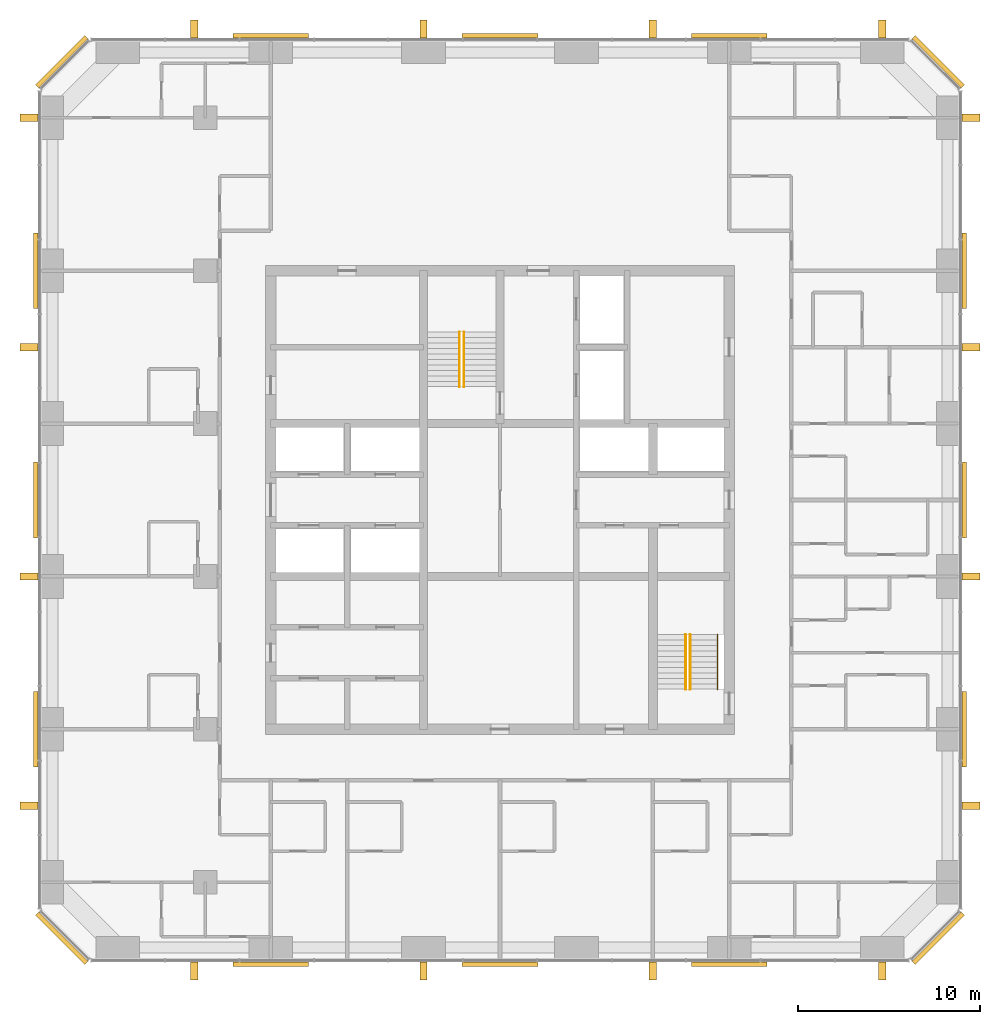
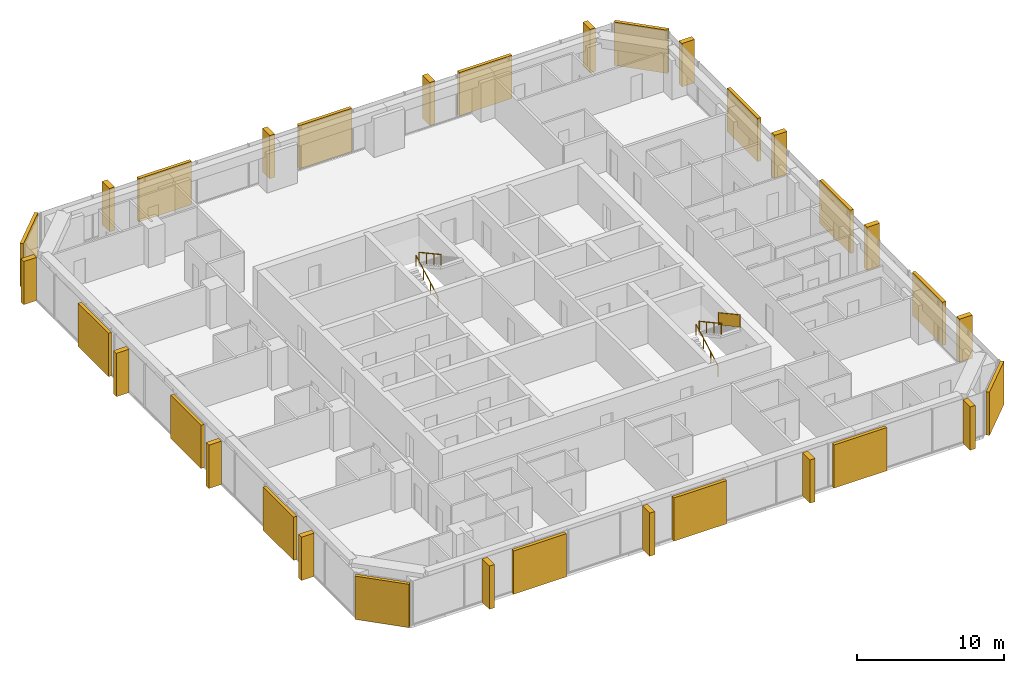
# One storey, part 13 of 13: 16 coverings, 16 shading devices, 5 railings.
"""IFC4 building model written with IfcOpenShell, lengths in metres."""

from ifc_helpers import new_model, si_unit, direction, frame, origin, origin_2d, place, context, subcontext, project, spatial, polyline, rectangle, circle, outline, extrude, material, layer, layer_set, type_object, element, save


model = new_model("IFC4")

# Units and contexts
model_context = context("Model", 3, precision=1e-05, world=origin(), true_north=direction((0.0, 1.0)))
body_context = subcontext(model_context, "Body", "Model", "MODEL_VIEW")
ifc_project = project(units=[si_unit("LENGTHUNIT", "METRE"), si_unit("AREAUNIT", "SQUARE_METRE"), si_unit("VOLUMEUNIT", "CUBIC_METRE"), si_unit("PLANEANGLEUNIT", "RADIAN"), si_unit("MASSUNIT", "GRAM", prefix="KILO")], contexts=[model_context])

# Site, building, storey
site_placement = place(None, origin())
site = spatial("IfcSite", under=ifc_project, at=site_placement, CompositionType="ELEMENT")
building_placement = place(site_placement, origin())
building = spatial("IfcBuilding", under=site, at=building_placement, Name="Dunama Terrace Hotel", CompositionType="ELEMENT")
storey_placement = place(building_placement, frame((0.0, 0.0, 191.39990234375)))
storey = spatial("IfcBuildingStorey", under=building, at=storey_placement, Name="L49", CompositionType="ELEMENT", Elevation=191.39990234375)

# Railings
ifc_material_1 = material(Name="Stainless steel and laminated glass guard", Category="steel")
railing_type_1 = type_object("IfcRailingType", Name="Guard 1100", PredefinedType="GUARDRAIL", material=ifc_material_1)
railing_1_placement = place(storey_placement, frame((41.35009765625, 22.0, 1.963623046875)))
element("IfcRailing", 1, at=railing_1_placement, inside=storey, type_object=railing_type_1, Name="Stair guard ST2 L49", PredefinedType="GUARDRAIL", context=body_context, shape_type="SweptSolid", body=[
    extrude(circle(Radius=0.02392578125, at=origin_2d()), frame((0.0, 0.0, 1.076171875), z_axis=(0.0, -0.877881921179, 0.478877158013), x_axis=(1.0, 0.0, 0.0)), (0.0, 0.0, 1.0), 3.417236328125),
    extrude(circle(Radius=0.02099609375, at=origin_2d()), origin(), (0.0, 0.0, 1.0), 1.052001953125),
    extrude(circle(Radius=0.02099609375, at=origin_2d()), frame((0.0, -1.0, 0.54541015625)), (0.0, 0.0, 1.0), 1.052001953125),
    extrude(circle(Radius=0.02099609375, at=origin_2d()), frame((0.0, -2.0, 1.091064453125)), (0.0, 0.0, 1.0), 1.052001953125),
    extrude(circle(Radius=0.02099609375, at=origin_2d()), frame((0.0, -3.0, 1.636474609375)), (0.0, 0.0, 1.0), 1.052001953125),
    extrude(outline(polyline([(0.0048828125, 0.052734375), (0.9951171875, 0.5927734375), (0.9951171875, 1.618896484375), (0.0048828125, 1.07861328125), (0.0048828125, 0.052734375)])), frame((0.0087890625, 0.0, 0.0), z_axis=(-1.0, 0.0, 0.0), x_axis=(0.0, -1.0, 0.0)), (0.0, 0.0, 1.0), 0.017578125),
    extrude(outline(polyline([(0.0048828125, 0.052734375), (0.9951171875, 0.5927734375), (0.9951171875, 1.618896484375), (0.0048828125, 1.07861328125), (0.0048828125, 0.052734375)])), frame((0.0087890625, -1.0, 0.54541015625), z_axis=(-1.0, 0.0, 0.0), x_axis=(0.0, -1.0, 0.0)), (0.0, 0.0, 1.0), 0.017578125),
    extrude(outline(polyline([(0.0048828125, 0.052734375), (0.9951171875, 0.5927734375), (0.9951171875, 1.618896484375), (0.0048828125, 1.07861328125), (0.0048828125, 0.052734375)])), frame((0.0087890625, -2.0, 1.091064453125), z_axis=(-1.0, 0.0, 0.0), x_axis=(0.0, -1.0, 0.0)), (0.0, 0.0, 1.0), 0.017578125),
])
ifc_material_2 = material(Name="Stainless steel handrail", Category="steel")
railing_type_2 = type_object("IfcRailingType", Name="Stair handrail 900", PredefinedType="HANDRAIL", material=ifc_material_2)
railing_2_placement = place(storey_placement, frame((27.175048828125, 35.625, 0.163818359375)))
element("IfcRailing", 2, at=railing_2_placement, inside=storey, type_object=railing_type_2, Name="Handrail ST1 L49", PredefinedType="HANDRAIL", context=body_context, shape_type="SweptSolid", body=[
    extrude(circle(Radius=0.02392578125, at=origin_2d()), frame((0.0, 0.0, 0.8759765625), z_axis=(0.0, 0.877911954615, 0.47882209634), x_axis=(-1.0, 0.0, 0.0)), (0.0, 0.0, 1.0), 3.417236328125),
    extrude(circle(Radius=0.02099609375, at=origin_2d()), origin(), (0.0, 0.0, 1.0), 0.851806640625),
    extrude(circle(Radius=0.02099609375, at=origin_2d()), frame((0.0, 1.0, 0.54541015625)), (0.0, 0.0, 1.0), 0.851806640625),
    extrude(circle(Radius=0.02099609375, at=origin_2d()), frame((0.0, 2.0, 1.0908203125)), (0.0, 0.0, 1.0), 0.851806640625),
    extrude(circle(Radius=0.02099609375, at=origin_2d()), frame((0.0, 3.0, 1.63623046875)), (0.0, 0.0, 1.0), 0.851806640625),
])
railing_3_placement = place(storey_placement, frame((27.425048828125, 38.625, 1.963623046875)))
element("IfcRailing", 3, at=railing_3_placement, inside=storey, type_object=railing_type_2, Name="Handrail ST1 L49", PredefinedType="HANDRAIL", context=body_context, shape_type="SweptSolid", body=[
    extrude(circle(Radius=0.02392578125, at=origin_2d()), frame((0.0, 0.0, 0.8759765625), z_axis=(0.0, -0.877881921179, 0.478877158013), x_axis=(1.0, 0.0, 0.0)), (0.0, 0.0, 1.0), 3.417236328125),
    extrude(circle(Radius=0.02099609375, at=origin_2d()), origin(), (0.0, 0.0, 1.0), 0.851806640625),
    extrude(circle(Radius=0.02099609375, at=origin_2d()), frame((0.0, -1.0, 0.54541015625)), (0.0, 0.0, 1.0), 0.851806640625),
    extrude(circle(Radius=0.02099609375, at=origin_2d()), frame((0.0, -2.0, 1.091064453125)), (0.0, 0.0, 1.0), 0.851806640625),
    extrude(circle(Radius=0.02099609375, at=origin_2d()), frame((0.0, -3.0, 1.636474609375)), (0.0, 0.0, 1.0), 0.851806640625),
])
railing_4_placement = place(storey_placement, frame((39.60009765625, 19.0, 0.163818359375)))
element("IfcRailing", 4, at=railing_4_placement, inside=storey, type_object=railing_type_2, Name="Handrail ST2 L49", PredefinedType="HANDRAIL", context=body_context, shape_type="SweptSolid", body=[
    extrude(circle(Radius=0.02392578125, at=origin_2d()), frame((0.0, 0.0, 0.8759765625), z_axis=(0.0, 0.877911954615, 0.47882209634), x_axis=(-1.0, 0.0, 0.0)), (0.0, 0.0, 1.0), 3.417236328125),
    extrude(circle(Radius=0.02099609375, at=origin_2d()), origin(), (0.0, 0.0, 1.0), 0.851806640625),
    extrude(circle(Radius=0.02099609375, at=origin_2d()), frame((0.0, 1.0, 0.54541015625)), (0.0, 0.0, 1.0), 0.851806640625),
    extrude(circle(Radius=0.02099609375, at=origin_2d()), frame((0.0, 2.0, 1.0908203125)), (0.0, 0.0, 1.0), 0.851806640625),
    extrude(circle(Radius=0.02099609375, at=origin_2d()), frame((0.0, 3.0, 1.63623046875)), (0.0, 0.0, 1.0), 0.851806640625),
])
railing_5_placement = place(storey_placement, frame((39.85009765625, 22.0, 1.963623046875)))
element("IfcRailing", 5, at=railing_5_placement, inside=storey, type_object=railing_type_2, Name="Handrail ST2 L49", PredefinedType="HANDRAIL", context=body_context, shape_type="SweptSolid", body=[
    extrude(circle(Radius=0.02392578125, at=origin_2d()), frame((0.0, 0.0, 0.8759765625), z_axis=(0.0, -0.877881921179, 0.478877158013), x_axis=(1.0, 0.0, 0.0)), (0.0, 0.0, 1.0), 3.417236328125),
    extrude(circle(Radius=0.02099609375, at=origin_2d()), origin(), (0.0, 0.0, 1.0), 0.851806640625),
    extrude(circle(Radius=0.02099609375, at=origin_2d()), frame((0.0, -1.0, 0.54541015625)), (0.0, 0.0, 1.0), 0.851806640625),
    extrude(circle(Radius=0.02099609375, at=origin_2d()), frame((0.0, -2.0, 1.091064453125)), (0.0, 0.0, 1.0), 0.851806640625),
    extrude(circle(Radius=0.02099609375, at=origin_2d()), frame((0.0, -3.0, 1.636474609375)), (0.0, 0.0, 1.0), 0.851806640625),
])

# Coverings
ifc_material_3 = material(Name="Warm reconstituted stone panel", Category="masonry")
ifc_layer_1 = layer(ifc_material_3, 0.25)
ifc_layer_set_1 = layer_set([ifc_layer_1], Name="Stone diagonal panel")
covering_type = type_object("IfcCoveringType", Name="Stone diagonal panel", PredefinedType="CLADDING", material=ifc_layer_set_1)
for number, where, z_axis, x_axis, name in (
    (6, (16.800048828125, 3.876953125, 0.001953125), (0.0, 0.0, 1.0), (1.0, 0.0, 0.0), "Stone diagonal panel L49"),
    (7, (29.39990234375, 3.876953125, 0.001953125), (0.0, 0.0, 1.0), (1.0, 0.0, 0.0), "Stone diagonal panel L49"),
    (8, (42.0, 3.876953125, 0.001953125), (0.0, 0.0, 1.0), (1.0, 0.0, 0.0), "Stone diagonal panel L49"),
):
    element("IfcCovering", number, at=place(storey_placement, frame(where, z_axis=z_axis, x_axis=x_axis)), inside=storey, type_object=covering_type, Name=name, PredefinedType="CLADDING", context=body_context, shape_type="SweptSolid", body=[
        extrude(rectangle(XDim=4.14990234375, YDim=0.25, at=origin_2d()), origin(), (0.0, 0.0, 1.0), 3.595947265625),
    ])
covering_1_placement = place(storey_placement, frame((53.47900390625, 5.321044921875, 0.001953125), z_axis=(0.0, 0.0, 1.0), x_axis=(0.707106781187, 0.707106781187, 0.0)))
element("IfcCovering", 9, at=covering_1_placement, inside=storey, type_object=covering_type, Name="Stone diagonal panel L49", PredefinedType="CLADDING", context=body_context, shape_type="SweptSolid", body=[
    extrude(rectangle(XDim=3.808349609375, YDim=0.25, at=origin_2d()), origin(), (0.0, 0.0, 1.0), 3.595947265625),
])
for number, where, z_axis, x_axis, name in (
    (10, (54.923095703125, 16.800048828125, 0.001953125), (0.0, 0.0, 1.0), (0.0, 1.0, 0.0), "Stone diagonal panel L49"),
    (11, (54.923095703125, 29.39990234375, 0.001953125), (0.0, 0.0, 1.0), (0.0, 1.0, 0.0), "Stone diagonal panel L49"),
    (12, (54.923095703125, 42.0, 0.001953125), (0.0, 0.0, 1.0), (0.0, 1.0, 0.0), "Stone diagonal panel L49"),
):
    element("IfcCovering", number, at=place(storey_placement, frame(where, z_axis=z_axis, x_axis=x_axis)), inside=storey, type_object=covering_type, Name=name, PredefinedType="CLADDING", context=body_context, shape_type="SweptSolid", body=[
        extrude(rectangle(XDim=4.14990234375, YDim=0.25, at=origin_2d()), origin(), (0.0, 0.0, 1.0), 3.595947265625),
    ])
covering_2_placement = place(storey_placement, frame((53.47900390625, 53.47900390625, 0.001953125), z_axis=(0.0, 0.0, 1.0), x_axis=(-0.707106781187, 0.707106781187, 0.0)))
element("IfcCovering", 13, at=covering_2_placement, inside=storey, type_object=covering_type, Name="Stone diagonal panel L49", PredefinedType="CLADDING", context=body_context, shape_type="SweptSolid", body=[
    extrude(rectangle(XDim=3.808349609375, YDim=0.25, at=origin_2d()), origin(), (0.0, 0.0, 1.0), 3.595947265625),
])
for number, where, z_axis, x_axis, name in (
    (14, (42.0, 54.923095703125, 0.001953125), (0.0, 0.0, 1.0), (-1.0, 0.0, 0.0), "Stone diagonal panel L49"),
    (15, (29.39990234375, 54.923095703125, 0.001953125), (0.0, 0.0, 1.0), (-1.0, 0.0, 0.0), "Stone diagonal panel L49"),
    (16, (16.800048828125, 54.923095703125, 0.001953125), (0.0, 0.0, 1.0), (-1.0, 0.0, 0.0), "Stone diagonal panel L49"),
):
    element("IfcCovering", number, at=place(storey_placement, frame(where, z_axis=z_axis, x_axis=x_axis)), inside=storey, type_object=covering_type, Name=name, PredefinedType="CLADDING", context=body_context, shape_type="SweptSolid", body=[
        extrude(rectangle(XDim=4.14990234375, YDim=0.25, at=origin_2d()), origin(), (0.0, 0.0, 1.0), 3.595947265625),
    ])
covering_3_placement = place(storey_placement, frame((5.321044921875, 53.47900390625, 0.001953125), z_axis=(0.0, 0.0, 1.0), x_axis=(-0.707106781187, -0.707106781187, 0.0)))
element("IfcCovering", 17, at=covering_3_placement, inside=storey, type_object=covering_type, Name="Stone diagonal panel L49", PredefinedType="CLADDING", context=body_context, shape_type="SweptSolid", body=[
    extrude(rectangle(XDim=3.808349609375, YDim=0.25, at=origin_2d()), origin(), (0.0, 0.0, 1.0), 3.595947265625),
])
for number, where, z_axis, x_axis, name in (
    (18, (3.876953125, 42.0, 0.001953125), (0.0, 0.0, 1.0), (0.0, -1.0, 0.0), "Stone diagonal panel L49"),
    (19, (3.876953125, 29.39990234375, 0.001953125), (0.0, 0.0, 1.0), (0.0, -1.0, 0.0), "Stone diagonal panel L49"),
    (20, (3.876953125, 16.800048828125, 0.001953125), (0.0, 0.0, 1.0), (0.0, -1.0, 0.0), "Stone diagonal panel L49"),
):
    element("IfcCovering", number, at=place(storey_placement, frame(where, z_axis=z_axis, x_axis=x_axis)), inside=storey, type_object=covering_type, Name=name, PredefinedType="CLADDING", context=body_context, shape_type="SweptSolid", body=[
        extrude(rectangle(XDim=4.14990234375, YDim=0.25, at=origin_2d()), origin(), (0.0, 0.0, 1.0), 3.595947265625),
    ])
covering_4_placement = place(storey_placement, frame((5.321044921875, 5.321044921875, 0.001953125), z_axis=(0.0, 0.0, 1.0), x_axis=(0.707106781187, -0.707106781187, 0.0)))
element("IfcCovering", 21, at=covering_4_placement, inside=storey, type_object=covering_type, Name="Stone diagonal panel L49", PredefinedType="CLADDING", context=body_context, shape_type="SweptSolid", body=[
    extrude(rectangle(XDim=3.808349609375, YDim=0.25, at=origin_2d()), origin(), (0.0, 0.0, 1.0), 3.595947265625),
])

# Shading devices
ifc_material_4 = material(Name="Warm reconstituted stone fin", Category="masonry")
ifc_layer_2 = layer(ifc_material_4, 0.39990234375)
ifc_layer_set_2 = layer_set([ifc_layer_2], Name="Warm stone fin 400x1000")
shading_device_type = type_object("IfcShadingDeviceType", Name="Warm stone fin 400x1000", PredefinedType="USERDEFINED", material=ifc_layer_set_2)
for number, where, z_axis, x_axis, name in (
    (22, (12.60009765625, 3.52197265625, 0.0), (0.0, 0.0, 1.0), (1.0, 0.0, 0.0), "Stone fin"),
    (23, (25.199951171875, 3.52197265625, 0.0), (0.0, 0.0, 1.0), (1.0, 0.0, 0.0), "Stone fin"),
    (24, (37.800048828125, 3.52197265625, 0.0), (0.0, 0.0, 1.0), (1.0, 0.0, 0.0), "Stone fin"),
    (25, (50.39990234375, 3.52197265625, 0.0), (0.0, 0.0, 1.0), (1.0, 0.0, 0.0), "Stone fin"),
    (26, (55.278076171875, 12.60009765625, 0.0), (0.0, 0.0, 1.0), (0.0, 1.0, 0.0), "Stone fin"),
    (27, (55.278076171875, 25.199951171875, 0.0), (0.0, 0.0, 1.0), (0.0, 1.0, 0.0), "Stone fin"),
    (28, (55.278076171875, 37.800048828125, 0.0), (0.0, 0.0, 1.0), (0.0, 1.0, 0.0), "Stone fin"),
    (29, (55.278076171875, 50.39990234375, 0.0), (0.0, 0.0, 1.0), (0.0, 1.0, 0.0), "Stone fin"),
    (30, (50.39990234375, 55.278076171875, 0.0), (0.0, 0.0, 1.0), (-1.0, 0.0, 0.0), "Stone fin"),
    (31, (37.800048828125, 55.278076171875, 0.0), (0.0, 0.0, 1.0), (-1.0, 0.0, 0.0), "Stone fin"),
    (32, (25.199951171875, 55.278076171875, 0.0), (0.0, 0.0, 1.0), (-1.0, 0.0, 0.0), "Stone fin"),
    (33, (12.60009765625, 55.278076171875, 0.0), (0.0, 0.0, 1.0), (-1.0, 0.0, 0.0), "Stone fin"),
    (34, (3.52197265625, 50.39990234375, 0.0), (0.0, 0.0, 1.0), (0.0, -1.0, 0.0), "Stone fin"),
    (35, (3.52197265625, 37.800048828125, 0.0), (0.0, 0.0, 1.0), (0.0, -1.0, 0.0), "Stone fin"),
    (36, (3.52197265625, 25.199951171875, 0.0), (0.0, 0.0, 1.0), (0.0, -1.0, 0.0), "Stone fin"),
    (37, (3.52197265625, 12.60009765625, 0.0), (0.0, 0.0, 1.0), (0.0, -1.0, 0.0), "Stone fin"),
):
    element("IfcShadingDevice", number, at=place(storey_placement, frame(where, z_axis=z_axis, x_axis=x_axis)), inside=storey, type_object=shading_device_type, Name=name, ObjectType="FIN", PredefinedType="USERDEFINED", context=body_context, shape_type="SweptSolid", body=[
        extrude(rectangle(XDim=0.39990234375, YDim=1.0, at=origin_2d()), origin(), (0.0, 0.0, 1.0), 3.60009765625),
    ])

save(model, "model.ifc")
